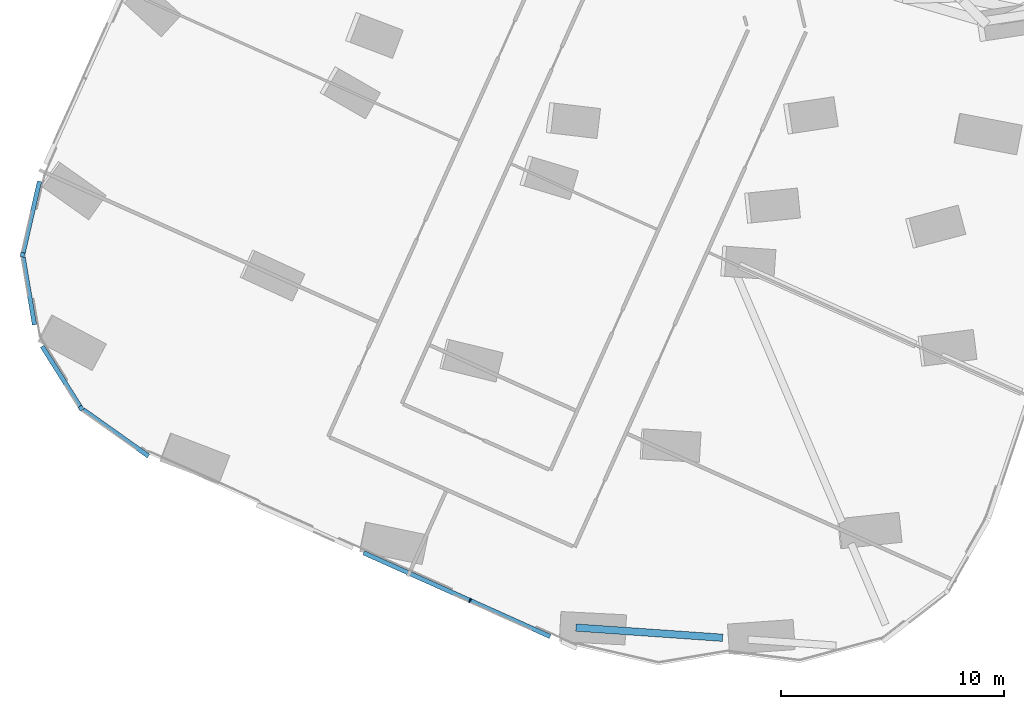
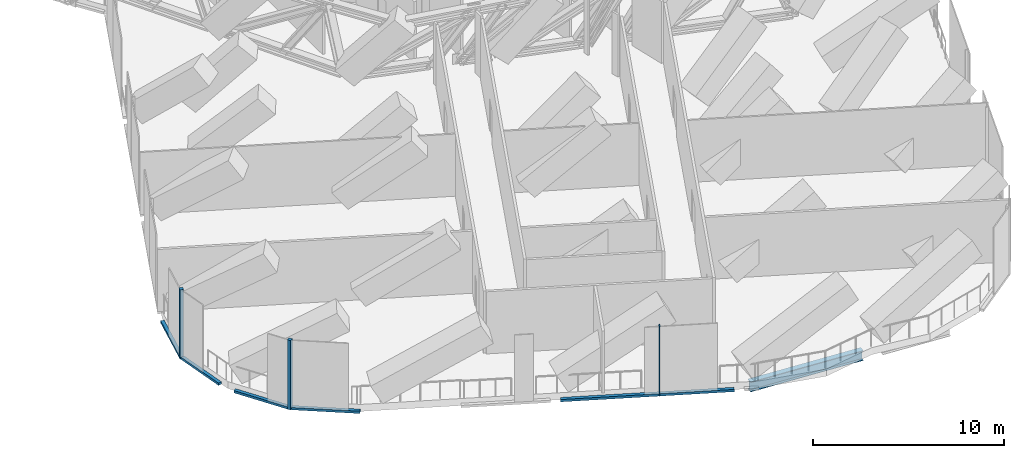
# One storey, part 3 of 39: 8 members, 1 beam, 5 elements without a shape of their own.
"""IFC4 building model written with IfcOpenShell, lengths in metres."""

from ifc_helpers import new_model, si_unit, direction, frame, origin, origin_2d, place, context, subcontext, project, spatial, rectangle, i_section, extrude, material, material_profile, profile_set, type_object, element, aggregate, save


model = new_model("IFC4")

# Units and contexts
model_context = context("Model", 3, precision=1e-05, world=origin(), true_north=direction((0.0, 1.0)))
body_context = subcontext(model_context, "Body", "Model", "MODEL_VIEW")
ifc_project = project(units=[si_unit("LENGTHUNIT", "METRE"), si_unit("AREAUNIT", "SQUARE_METRE"), si_unit("VOLUMEUNIT", "CUBIC_METRE"), si_unit("PLANEANGLEUNIT", "RADIAN"), si_unit("MASSUNIT", "GRAM", prefix="KILO")], contexts=[model_context])

# Site, building, storey
site_placement = place(None, origin())
site = spatial("IfcSite", under=ifc_project, at=site_placement, CompositionType="ELEMENT")
building_placement = place(site_placement, origin())
building = spatial("IfcBuilding", under=site, at=building_placement, Name="Orlundy Tower", CompositionType="ELEMENT")
storey_placement = place(building_placement, frame((0.0, 0.0, 141.199951171875)))
storey = spatial("IfcBuildingStorey", under=building, at=storey_placement, Name="L36", CompositionType="ELEMENT", Elevation=141.199951171875)

# Beam
ifc_material_1 = material(Name="Steel ASTM A992 Gr 50", Category="steel")
ifc_material_profile_1 = material_profile(ifc_material_1, i_section(OverallWidth=0.3291015625, OverallDepth=0.635009765625, WebThickness=0.017822265625, FlangeThickness=0.031005859375, at=origin_2d()), Name="W24X162")
ifc_profile_set_1 = profile_set([ifc_material_profile_1], Name="Steel ASTM A992 Gr 50")
beam_type = type_object("IfcBeamType", Name="CANTILEVER GIRDER beam W24X162", PredefinedType="BEAM", material=ifc_profile_set_1)
beam_placement = place(storey_placement, frame((-8.7041015625, -59.107177734375, -0.767333984375), z_axis=(-0.997573664083, 0.069618853257, 0.0), x_axis=(-0.069618853257, -0.997573664083, 0.0)))
element("IfcBeam", 1, at=beam_placement, inside=storey, type_object=beam_type, Name="Back-span girder C-B5-5 L36", PredefinedType="BEAM", context=body_context, shape_type="SweptSolid", body=[
    extrude(i_section(OverallWidth=0.3291015625, OverallDepth=0.635009765625, WebThickness=0.017822265625, FlangeThickness=0.031005859375, at=origin_2d()), origin(), (0.0, 0.0, 1.0), 6.585693359375),
])

# Curtain wall, member
ifc_material_2 = material(Name="Aluminium bronze anodised", Category="aluminium")
curtain_wall_type = type_object("IfcCurtainWallType", Name="CW4 wall", PredefinedType="NOTDEFINED", material=ifc_material_2)
curtain_wall_1_placement = place(storey_placement, origin())
curtain_wall_1 = element("IfcCurtainWall", 2, at=curtain_wall_1_placement, inside=storey, type_object=curtain_wall_type, Name="CW4 run 09", PredefinedType="NOTDEFINED")
ifc_material_3 = material(Name="Aluminium bronze anodised", Category="aluminium")
ifc_material_profile_2 = material_profile(ifc_material_3, rectangle(XDim=0.199951171875, YDim=0.199951171875, at=origin_2d()), Name="CW4 corner post 200x200")
ifc_profile_set_2 = profile_set([ifc_material_profile_2], Name="Aluminium bronze anodised")
member_type_1 = type_object("IfcMemberType", Name="CW4 corner post 200x200", PredefinedType="MULLION", material=ifc_profile_set_2)
member_1_placement = place(storey_placement, frame((-37.443115234375, -48.821044921875, -0.449951171875), z_axis=(0.0, 0.0, 1.0), x_axis=(-0.847285276564, -0.531138080086, 0.0)))
member_1 = element("IfcMember", 3, at=member_1_placement, type_object=member_type_1, Name="CW4 mullion 17", PredefinedType="MULLION", context=body_context, shape_type="SweptSolid", body=[
    extrude(rectangle(XDim=0.199951171875, YDim=0.199951171875, at=origin_2d()), origin(), (0.0, 0.0, 1.0), 4.449951171875),
])

curtain_wall_2_placement = place(storey_placement, origin())
curtain_wall_2 = element("IfcCurtainWall", 4, at=curtain_wall_2_placement, inside=storey, type_object=curtain_wall_type, Name="CW4 run 011", PredefinedType="NOTDEFINED")
member_2_placement = place(storey_placement, frame((-40.056884765625, -41.9521484375, -0.449951171875), z_axis=(0.0, 0.0, 1.0), x_axis=(-0.974672322571, 0.223637795584, 0.0)))
member_2 = element("IfcMember", 5, at=member_2_placement, type_object=member_type_1, Name="CW4 mullion 19", PredefinedType="MULLION", context=body_context, shape_type="SweptSolid", body=[
    extrude(rectangle(XDim=0.199951171875, YDim=0.199951171875, at=origin_2d()), origin(), (0.0, 0.0, 1.0), 4.449951171875),
])

# Curtain wall, members
curtain_wall_3_placement = place(storey_placement, origin())
curtain_wall_3 = element("IfcCurtainWall", 6, at=curtain_wall_3_placement, inside=storey, type_object=curtain_wall_type, Name="CW4 run 07", PredefinedType="NOTDEFINED")
ifc_material_4 = material(Name="Aluminium bronze anodised", Category="aluminium")
ifc_material_profile_3 = material_profile(ifc_material_4, rectangle(XDim=0.199951171875, YDim=0.06005859375, at=origin_2d()), Name="CW4 mullion 60x200")
ifc_profile_set_3 = profile_set([ifc_material_profile_3], Name="Aluminium bronze anodised")
member_type_2 = type_object("IfcMemberType", Name="CW4 mullion 60x200", PredefinedType="MULLION", material=ifc_profile_set_3)
member_3_placement = place(storey_placement, frame((-20.01904296875, -57.43798828125, -0.449951171875), z_axis=(0.0, 0.0, 1.0), x_axis=(-0.409374450241, -0.912366461182, 0.0)))
member_3 = element("IfcMember", 7, at=member_3_placement, type_object=member_type_2, Name="CW4 mullion 13", PredefinedType="MULLION", context=body_context, shape_type="SweptSolid", body=[
    extrude(rectangle(XDim=0.199951171875, YDim=0.06005859375, at=origin_2d()), origin(), (0.0, 0.0, 1.0), 4.449951171875),
])
ifc_material_5 = material(Name="Aluminium bronze anodised", Category="aluminium")
ifc_material_profile_4 = material_profile(ifc_material_5, rectangle(XDim=0.199951171875, YDim=0.14990234375, at=origin_2d()), Name="CW4 transom 200x150")
ifc_profile_set_4 = profile_set([ifc_material_profile_4], Name="Aluminium bronze anodised")
member_type_3 = type_object("IfcMemberType", Name="CW4 transom 200x150", PredefinedType="USERDEFINED", material=ifc_profile_set_4)
member_4_placement = place(storey_placement, frame((-16.423095703125, -59.051513671875, -0.375), z_axis=(-0.91236661802, 0.409374100698, 0.0), x_axis=(-0.409374100698, -0.91236661802, 0.0)))
member_4 = element("IfcMember", 8, at=member_4_placement, type_object=member_type_3, Name="CW4 transom", ObjectType="TRANSOM", PredefinedType="USERDEFINED", context=body_context, shape_type="SweptSolid", body=[
    extrude(rectangle(XDim=0.199951171875, YDim=0.14990234375, at=origin_2d()), origin(), (0.0, 0.0, 1.0), 9.163818359375),
])
aggregate(curtain_wall_3, [member_3, member_4])

# Curtain wall, member
curtain_wall_4_placement = place(storey_placement, origin())
curtain_wall_4 = element("IfcCurtainWall", 9, at=curtain_wall_4_placement, inside=storey, type_object=curtain_wall_type, Name="CW4 run 08", PredefinedType="NOTDEFINED")
member_5_placement = place(storey_placement, frame((-34.422607421875, -50.96875, -0.375), z_axis=(-0.814992354316, 0.579471709755, 0.0), x_axis=(-0.579471709755, -0.814992354316, 0.0)))
member_5 = element("IfcMember", 10, at=member_5_placement, type_object=member_type_3, Name="CW4 transom", ObjectType="TRANSOM", PredefinedType="USERDEFINED", context=body_context, shape_type="SweptSolid", body=[
    extrude(rectangle(XDim=0.199951171875, YDim=0.14990234375, at=origin_2d()), origin(), (0.0, 0.0, 1.0), 3.59814453125),
])
aggregate(curtain_wall_4, [member_5])

# Member
member_6_placement = place(storey_placement, frame((-37.496337890625, -48.736328125, -0.375), z_axis=(-0.531139310736, 0.847284505105, 0.0), x_axis=(-0.847284505105, -0.531139310736, 0.0)))
member_6 = element("IfcMember", 11, at=member_6_placement, type_object=member_type_3, Name="CW4 transom", ObjectType="TRANSOM", PredefinedType="USERDEFINED", context=body_context, shape_type="SweptSolid", body=[
    extrude(rectangle(XDim=0.199951171875, YDim=0.14990234375, at=origin_2d()), origin(), (0.0, 0.0, 1.0), 3.173828125),
])

aggregate(curtain_wall_1, [member_1, member_6])

# Curtain wall, member
curtain_wall_5_placement = place(storey_placement, origin())
curtain_wall_5 = element("IfcCurtainWall", 12, at=curtain_wall_5_placement, inside=storey, type_object=curtain_wall_type, Name="CW4 run 010", PredefinedType="NOTDEFINED")
member_7_placement = place(storey_placement, frame((-39.527099609375, -45.091064453125, -0.375), z_axis=(-0.166407066867, 0.986057142409, 0.0), x_axis=(-0.986057142409, -0.166407066867, 0.0)))
member_7 = element("IfcMember", 13, at=member_7_placement, type_object=member_type_3, Name="CW4 transom", ObjectType="TRANSOM", PredefinedType="USERDEFINED", context=body_context, shape_type="SweptSolid", body=[
    extrude(rectangle(XDim=0.199951171875, YDim=0.14990234375, at=origin_2d()), origin(), (0.0, 0.0, 1.0), 3.0751953125),
])
aggregate(curtain_wall_5, [member_7])

# Member
member_8_placement = place(storey_placement, frame((-40.03466796875, -41.8544921875, -0.375), z_axis=(0.223663432729, 0.974666439794, 0.0), x_axis=(-0.974666439794, 0.223663432729, 0.0)))
member_8 = element("IfcMember", 14, at=member_8_placement, type_object=member_type_3, Name="CW4 transom", ObjectType="TRANSOM", PredefinedType="USERDEFINED", context=body_context, shape_type="SweptSolid", body=[
    extrude(rectangle(XDim=0.199951171875, YDim=0.14990234375, at=origin_2d()), origin(), (0.0, 0.0, 1.0), 3.280029296875),
])

aggregate(curtain_wall_2, [member_2, member_8])

save(model, "model.ifc")
